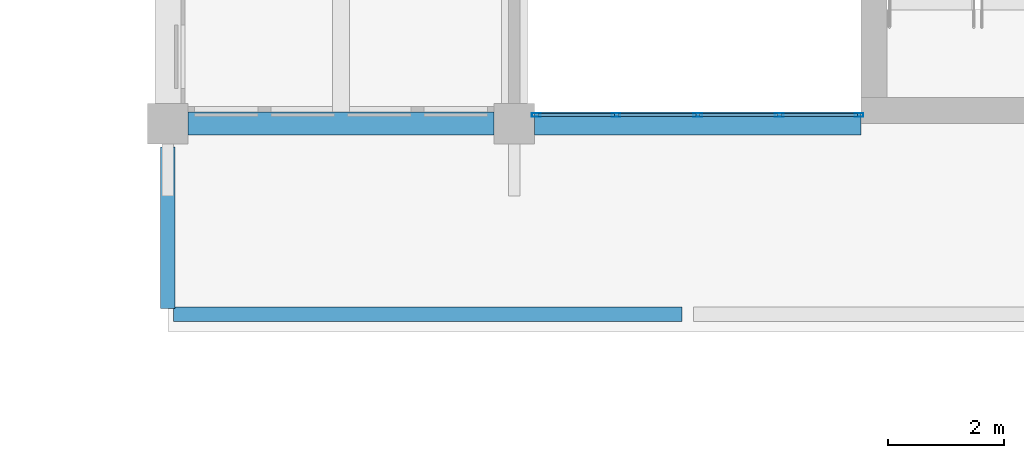
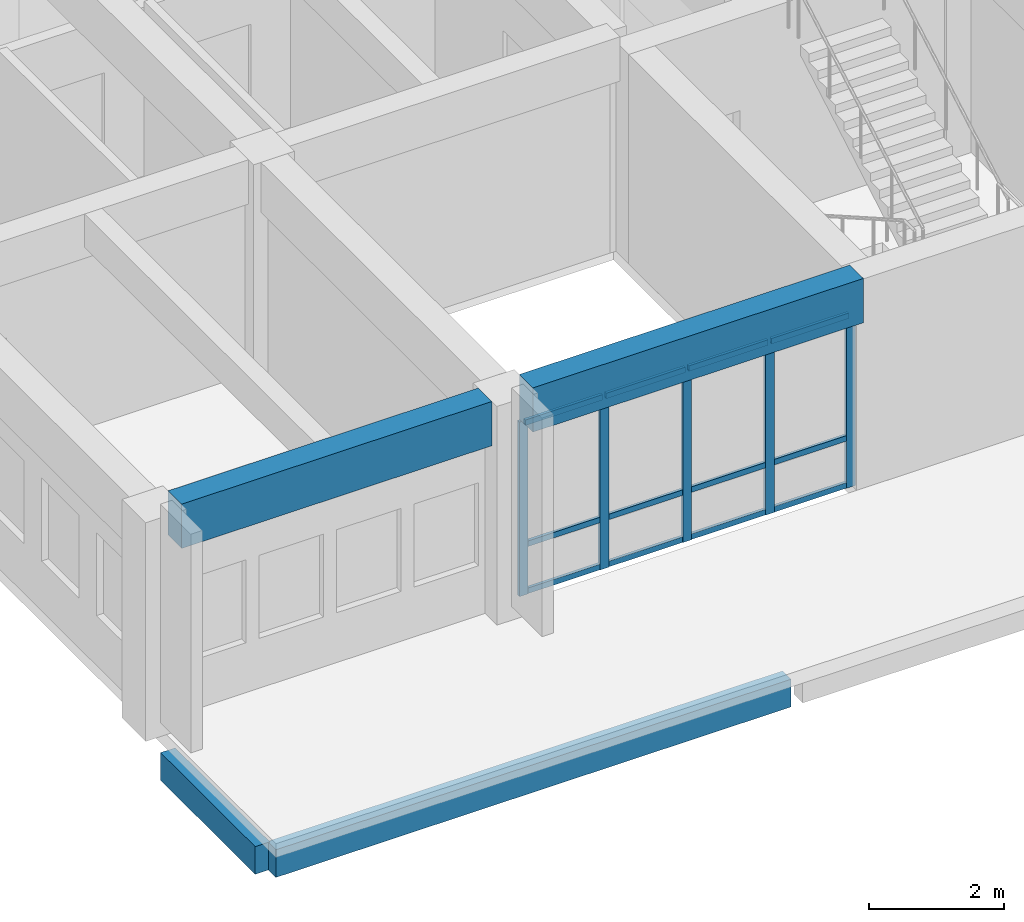
# One storey, part 6 of 103: 17 members, 4 beams, 1 element without a shape of its own.
"""IFC4 building model written with IfcOpenShell, lengths in metres."""

from ifc_helpers import new_model, si_unit, direction, frame, origin, origin_2d, place, context, subcontext, project, spatial, rectangle, hollow_rectangle, extrude, material, material_profile, profile_set, type_object, element, aggregate, save


model = new_model("IFC4")

# Units and contexts
model_context = context("Model", 3, precision=1e-05, world=origin(), true_north=direction((0.0, 1.0)))
body_context = subcontext(model_context, "Body", "Model", "MODEL_VIEW")
ifc_project = project(units=[si_unit("LENGTHUNIT", "METRE"), si_unit("AREAUNIT", "SQUARE_METRE"), si_unit("VOLUMEUNIT", "CUBIC_METRE"), si_unit("PLANEANGLEUNIT", "RADIAN"), si_unit("MASSUNIT", "GRAM", prefix="KILO")], contexts=[model_context])

# Site, building, storey
site_placement = place(None, origin())
site = spatial("IfcSite", under=ifc_project, at=site_placement, CompositionType="ELEMENT")
building_placement = place(site_placement, origin())
building = spatial("IfcBuilding", under=site, at=building_placement, Name="Laocheng Heights Fire and Rescue Headquarters", CompositionType="ELEMENT")
storey_placement = place(building_placement, frame((0.0, 0.0, 4.199951171875)))
storey = spatial("IfcBuildingStorey", under=building, at=storey_placement, Name="L01", CompositionType="ELEMENT", Elevation=4.199951171875)

# Curtain wall, members
ifc_material_1 = material(Name="Aluminium unitised curtain wall, low-e double glazing", Category="aluminium")
curtain_wall_type = type_object("IfcCurtainWallType", Name="CW 5650 x 3150 FLANK W UNIT", PredefinedType="NOTDEFINED", material=ifc_material_1)
curtain_wall_placement = place(storey_placement, origin())
curtain_wall = element("IfcCurtainWall", 1, at=curtain_wall_placement, inside=storey, type_object=curtain_wall_type, Name="Flank W glazing L01", PredefinedType="NOTDEFINED")
ifc_material_2 = material(Name="Aluminium 6063-T5 extrusion", Category="aluminium")
ifc_material_profile_1 = material_profile(ifc_material_2, hollow_rectangle(XDim=0.06005859375, YDim=0.14990234375, WallThickness=0.0029296875, at=origin_2d()), Name="AL MULLION 150x60x3")
ifc_profile_set_1 = profile_set([ifc_material_profile_1], Name="Aluminium 6063-T5 extrusion")
member_type_1 = type_object("IfcMemberType", Name="AL CURTAIN WALL MULLION 150x60x3", PredefinedType="MULLION", material=ifc_profile_set_1)
member_1_placement = place(storey_placement, frame((6.3798828125, 0.14990234375, 0.0), z_axis=(0.0, 0.0, 1.0), x_axis=(0.0, 1.0, 0.0)))
member_1 = element("IfcMember", 2, at=member_1_placement, type_object=member_type_1, Name="X2-E mullion 1", PredefinedType="MULLION", context=body_context, shape_type="SweptSolid", body=[
    extrude(hollow_rectangle(XDim=0.06005859375, YDim=0.14990234375, WallThickness=0.0029296875, at=origin_2d()), origin(), (0.0, 0.0, 1.0), 3.150146484375),
])
member_2_placement = place(storey_placement, frame((7.762451171875, 0.14990234375, 0.0), z_axis=(0.0, 0.0, 1.0), x_axis=(0.0, 1.0, 0.0)))
member_2 = element("IfcMember", 3, at=member_2_placement, type_object=member_type_1, Name="X2-E mullion 2", PredefinedType="MULLION", context=body_context, shape_type="SweptSolid", body=[
    extrude(hollow_rectangle(XDim=0.06005859375, YDim=0.14990234375, WallThickness=0.0029296875, at=origin_2d()), origin(), (0.0, 0.0, 1.0), 3.150146484375),
])
member_3_placement = place(storey_placement, frame((9.175048828125, 0.14990234375, 0.0), z_axis=(0.0, 0.0, 1.0), x_axis=(0.0, 1.0, 0.0)))
member_3 = element("IfcMember", 4, at=member_3_placement, type_object=member_type_1, Name="X2-E mullion 3", PredefinedType="MULLION", context=body_context, shape_type="SweptSolid", body=[
    extrude(hollow_rectangle(XDim=0.06005859375, YDim=0.14990234375, WallThickness=0.0029296875, at=origin_2d()), origin(), (0.0, 0.0, 1.0), 3.150146484375),
])
member_4_placement = place(storey_placement, frame((10.58740234375, 0.14990234375, 0.0), z_axis=(0.0, 0.0, 1.0), x_axis=(0.0, 1.0, 0.0)))
member_4 = element("IfcMember", 5, at=member_4_placement, type_object=member_type_1, Name="X2-E mullion 4", PredefinedType="MULLION", context=body_context, shape_type="SweptSolid", body=[
    extrude(hollow_rectangle(XDim=0.06005859375, YDim=0.14990234375, WallThickness=0.0029296875, at=origin_2d()), origin(), (0.0, 0.0, 1.0), 3.150146484375),
])
member_5_placement = place(storey_placement, frame((11.969970703125, 0.14990234375, 0.0), z_axis=(0.0, 0.0, 1.0), x_axis=(0.0, 1.0, 0.0)))
member_5 = element("IfcMember", 6, at=member_5_placement, type_object=member_type_1, Name="X2-E mullion 5", PredefinedType="MULLION", context=body_context, shape_type="SweptSolid", body=[
    extrude(hollow_rectangle(XDim=0.06005859375, YDim=0.14990234375, WallThickness=0.0029296875, at=origin_2d()), origin(), (0.0, 0.0, 1.0), 3.150146484375),
])
ifc_material_3 = material(Name="Aluminium 6063-T5 extrusion", Category="aluminium")
ifc_material_profile_2 = material_profile(ifc_material_3, hollow_rectangle(XDim=0.050048828125, YDim=0.10009765625, WallThickness=0.0029296875, at=origin_2d()), Name="AL TRANSOM 100x50x3")
ifc_profile_set_2 = profile_set([ifc_material_profile_2], Name="Aluminium 6063-T5 extrusion")
member_type_2 = type_object("IfcMemberType", Name="AL CURTAIN WALL TRANSOM 100x50x3", PredefinedType="USERDEFINED", material=ifc_profile_set_2)
member_6_placement = place(storey_placement, frame((6.409912109375, 0.14990234375, 0.050048828125), z_axis=(1.0, 0.0, 0.0), x_axis=(0.0, 1.0, 0.0)))
member_6 = element("IfcMember", 7, at=member_6_placement, type_object=member_type_2, Name="X2-E transom 1.1", ObjectType="TRANSOM", PredefinedType="USERDEFINED", context=body_context, shape_type="SweptSolid", body=[
    extrude(hollow_rectangle(XDim=0.050048828125, YDim=0.10009765625, WallThickness=0.0029296875, at=origin_2d()), origin(), (0.0, 0.0, 1.0), 1.322509765625),
])
member_7_placement = place(storey_placement, frame((6.409912109375, 0.14990234375, 0.900146484375), z_axis=(1.0, 0.0, 0.0), x_axis=(0.0, 1.0, 0.0)))
member_7 = element("IfcMember", 8, at=member_7_placement, type_object=member_type_2, Name="X2-E transom 1.2", ObjectType="TRANSOM", PredefinedType="USERDEFINED", context=body_context, shape_type="SweptSolid", body=[
    extrude(hollow_rectangle(XDim=0.050048828125, YDim=0.10009765625, WallThickness=0.0029296875, at=origin_2d()), origin(), (0.0, 0.0, 1.0), 1.322509765625),
])
member_8_placement = place(storey_placement, frame((6.409912109375, 0.14990234375, 3.10009765625), z_axis=(1.0, 0.0, 0.0), x_axis=(0.0, 1.0, 0.0)))
member_8 = element("IfcMember", 9, at=member_8_placement, type_object=member_type_2, Name="X2-E transom 1.3", ObjectType="TRANSOM", PredefinedType="USERDEFINED", context=body_context, shape_type="SweptSolid", body=[
    extrude(hollow_rectangle(XDim=0.050048828125, YDim=0.10009765625, WallThickness=0.0029296875, at=origin_2d()), origin(), (0.0, 0.0, 1.0), 1.322509765625),
])
member_9_placement = place(storey_placement, frame((7.79248046875, 0.14990234375, 0.050048828125), z_axis=(1.0, 0.0, 0.0), x_axis=(0.0, 1.0, 0.0)))
member_9 = element("IfcMember", 10, at=member_9_placement, type_object=member_type_2, Name="X2-E transom 2.1", ObjectType="TRANSOM", PredefinedType="USERDEFINED", context=body_context, shape_type="SweptSolid", body=[
    extrude(hollow_rectangle(XDim=0.050048828125, YDim=0.10009765625, WallThickness=0.0029296875, at=origin_2d()), origin(), (0.0, 0.0, 1.0), 1.3525390625),
])
member_10_placement = place(storey_placement, frame((7.79248046875, 0.14990234375, 0.900146484375), z_axis=(1.0, 0.0, 0.0), x_axis=(0.0, 1.0, 0.0)))
member_10 = element("IfcMember", 11, at=member_10_placement, type_object=member_type_2, Name="X2-E transom 2.2", ObjectType="TRANSOM", PredefinedType="USERDEFINED", context=body_context, shape_type="SweptSolid", body=[
    extrude(hollow_rectangle(XDim=0.050048828125, YDim=0.10009765625, WallThickness=0.0029296875, at=origin_2d()), origin(), (0.0, 0.0, 1.0), 1.3525390625),
])
member_11_placement = place(storey_placement, frame((7.79248046875, 0.14990234375, 3.10009765625), z_axis=(1.0, 0.0, 0.0), x_axis=(0.0, 1.0, 0.0)))
member_11 = element("IfcMember", 12, at=member_11_placement, type_object=member_type_2, Name="X2-E transom 2.3", ObjectType="TRANSOM", PredefinedType="USERDEFINED", context=body_context, shape_type="SweptSolid", body=[
    extrude(hollow_rectangle(XDim=0.050048828125, YDim=0.10009765625, WallThickness=0.0029296875, at=origin_2d()), origin(), (0.0, 0.0, 1.0), 1.3525390625),
])
member_12_placement = place(storey_placement, frame((9.205078125, 0.14990234375, 0.050048828125), z_axis=(1.0, 0.0, 0.0), x_axis=(0.0, 1.0, 0.0)))
member_12 = element("IfcMember", 13, at=member_12_placement, type_object=member_type_2, Name="X2-E transom 3.1", ObjectType="TRANSOM", PredefinedType="USERDEFINED", context=body_context, shape_type="SweptSolid", body=[
    extrude(hollow_rectangle(XDim=0.050048828125, YDim=0.10009765625, WallThickness=0.0029296875, at=origin_2d()), origin(), (0.0, 0.0, 1.0), 1.3525390625),
])
member_13_placement = place(storey_placement, frame((9.205078125, 0.14990234375, 0.900146484375), z_axis=(1.0, 0.0, 0.0), x_axis=(0.0, 1.0, 0.0)))
member_13 = element("IfcMember", 14, at=member_13_placement, type_object=member_type_2, Name="X2-E transom 3.2", ObjectType="TRANSOM", PredefinedType="USERDEFINED", context=body_context, shape_type="SweptSolid", body=[
    extrude(hollow_rectangle(XDim=0.050048828125, YDim=0.10009765625, WallThickness=0.0029296875, at=origin_2d()), origin(), (0.0, 0.0, 1.0), 1.3525390625),
])
member_14_placement = place(storey_placement, frame((9.205078125, 0.14990234375, 3.10009765625), z_axis=(1.0, 0.0, 0.0), x_axis=(0.0, 1.0, 0.0)))
member_14 = element("IfcMember", 15, at=member_14_placement, type_object=member_type_2, Name="X2-E transom 3.3", ObjectType="TRANSOM", PredefinedType="USERDEFINED", context=body_context, shape_type="SweptSolid", body=[
    extrude(hollow_rectangle(XDim=0.050048828125, YDim=0.10009765625, WallThickness=0.0029296875, at=origin_2d()), origin(), (0.0, 0.0, 1.0), 1.3525390625),
])
member_15_placement = place(storey_placement, frame((10.617431640625, 0.14990234375, 0.050048828125), z_axis=(1.0, 0.0, 0.0), x_axis=(0.0, 1.0, 0.0)))
member_15 = element("IfcMember", 16, at=member_15_placement, type_object=member_type_2, Name="X2-E transom 4.1", ObjectType="TRANSOM", PredefinedType="USERDEFINED", context=body_context, shape_type="SweptSolid", body=[
    extrude(hollow_rectangle(XDim=0.050048828125, YDim=0.10009765625, WallThickness=0.0029296875, at=origin_2d()), origin(), (0.0, 0.0, 1.0), 1.322509765625),
])
member_16_placement = place(storey_placement, frame((10.617431640625, 0.14990234375, 0.900146484375), z_axis=(1.0, 0.0, 0.0), x_axis=(0.0, 1.0, 0.0)))
member_16 = element("IfcMember", 17, at=member_16_placement, type_object=member_type_2, Name="X2-E transom 4.2", ObjectType="TRANSOM", PredefinedType="USERDEFINED", context=body_context, shape_type="SweptSolid", body=[
    extrude(hollow_rectangle(XDim=0.050048828125, YDim=0.10009765625, WallThickness=0.0029296875, at=origin_2d()), origin(), (0.0, 0.0, 1.0), 1.322509765625),
])
member_17_placement = place(storey_placement, frame((10.617431640625, 0.14990234375, 3.10009765625), z_axis=(1.0, 0.0, 0.0), x_axis=(0.0, 1.0, 0.0)))
member_17 = element("IfcMember", 18, at=member_17_placement, type_object=member_type_2, Name="X2-E transom 4.3", ObjectType="TRANSOM", PredefinedType="USERDEFINED", context=body_context, shape_type="SweptSolid", body=[
    extrude(hollow_rectangle(XDim=0.050048828125, YDim=0.10009765625, WallThickness=0.0029296875, at=origin_2d()), origin(), (0.0, 0.0, 1.0), 1.322509765625),
])
aggregate(curtain_wall, [member_1, member_2, member_3, member_4, member_5, member_6, member_7, member_8, member_9, member_10, member_11, member_12, member_13, member_14, member_15, member_16, member_17])

# Beams
ifc_material_4 = material(Name="Concrete C40", Category="concrete")
ifc_material_profile_3 = material_profile(ifc_material_4, rectangle(XDim=0.25, YDim=0.5, at=origin_2d()), Name="RC BEAM 250x500 CANOPY EDGE")
ifc_profile_set_3 = profile_set([ifc_material_profile_3], Name="Concrete C40")
beam_type_1 = type_object("IfcBeamType", Name="RC BEAM 250x500 CANOPY EDGE", PredefinedType="BEAM", material=ifc_profile_set_3)
beam_1_placement = place(storey_placement, frame((0.10009765625, -3.300048828125, -0.5), z_axis=(1.0, 0.0, 0.0), x_axis=(0.0, 1.0, 0.0)))
element("IfcBeam", 19, at=beam_1_placement, inside=storey, type_object=beam_type_1, Name="Canopy edge beam", PredefinedType="BEAM", context=body_context, shape_type="SweptSolid", body=[
    extrude(rectangle(XDim=0.25, YDim=0.5, at=origin_2d()), origin(), (0.0, 0.0, 1.0), 8.7998046875),
])
beam_2_placement = place(storey_placement, frame((0.0, -3.199951171875, -0.5), z_axis=(0.0, 1.0, 0.0), x_axis=(-1.0, 0.0, 0.0)))
element("IfcBeam", 20, at=beam_2_placement, inside=storey, type_object=beam_type_1, Name="Canopy side beam", PredefinedType="BEAM", context=body_context, shape_type="SweptSolid", body=[
    extrude(rectangle(XDim=0.25, YDim=0.5, at=origin_2d()), origin(), (0.0, 0.0, 1.0), 2.800048828125),
])
ifc_material_5 = material(Name="Concrete C40", Category="concrete")
ifc_material_profile_4 = material_profile(ifc_material_5, rectangle(XDim=0.39990234375, YDim=0.800048828125, at=origin_2d()), Name="RC BEAM 400x800 PAVILION FLOOR")
ifc_profile_set_4 = profile_set([ifc_material_profile_4], Name="Concrete C40")
beam_type_2 = type_object("IfcBeamType", Name="RC BEAM 400x800 PAVILION FLOOR", PredefinedType="BEAM", material=ifc_profile_set_4)
beam_3_placement = place(storey_placement, frame((0.35009765625, 0.0, 3.550048828125), z_axis=(1.0, 0.0, 0.0), x_axis=(0.0, 1.0, 0.0)))
element("IfcBeam", 21, at=beam_3_placement, inside=storey, type_object=beam_type_2, Name="Pavilion beam", PredefinedType="BEAM", context=body_context, shape_type="SweptSolid", body=[
    extrude(rectangle(XDim=0.39990234375, YDim=0.800048828125, at=origin_2d()), origin(), (0.0, 0.0, 1.0), 5.2998046875),
])
beam_4_placement = place(storey_placement, frame((6.35009765625, 0.0, 3.550048828125), z_axis=(1.0, 0.0, 0.0), x_axis=(0.0, 1.0, 0.0)))
element("IfcBeam", 22, at=beam_4_placement, inside=storey, type_object=beam_type_2, Name="Pavilion beam", PredefinedType="BEAM", context=body_context, shape_type="SweptSolid", body=[
    extrude(rectangle(XDim=0.39990234375, YDim=0.800048828125, at=origin_2d()), origin(), (0.0, 0.0, 1.0), 5.64990234375),
])

save(model, "model.ifc")
